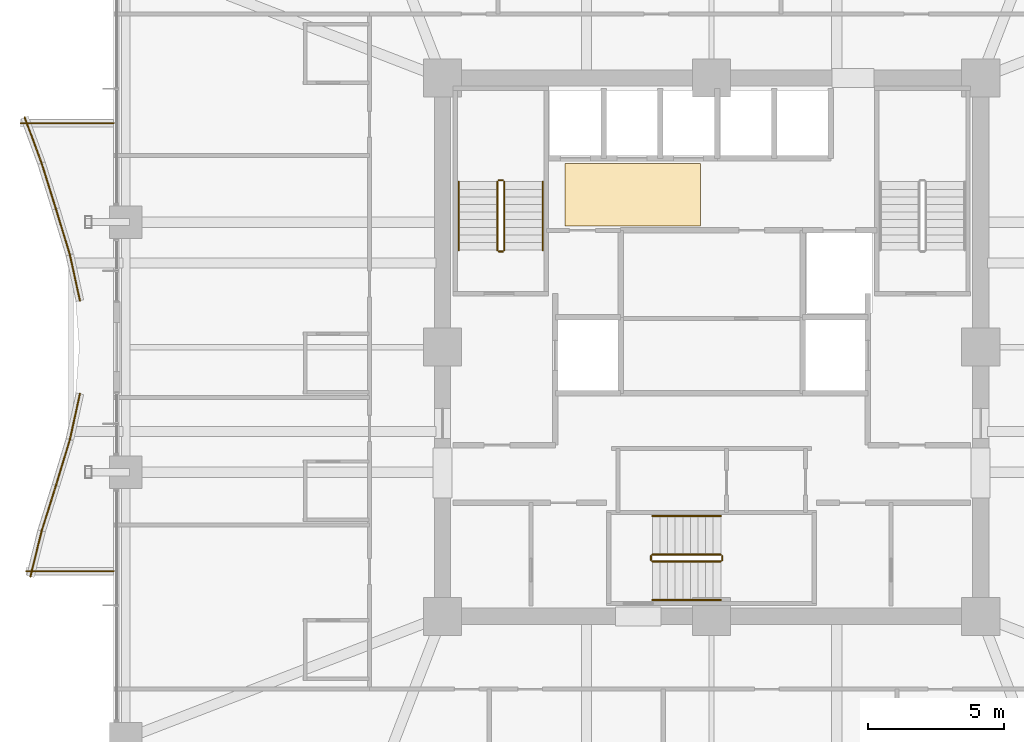
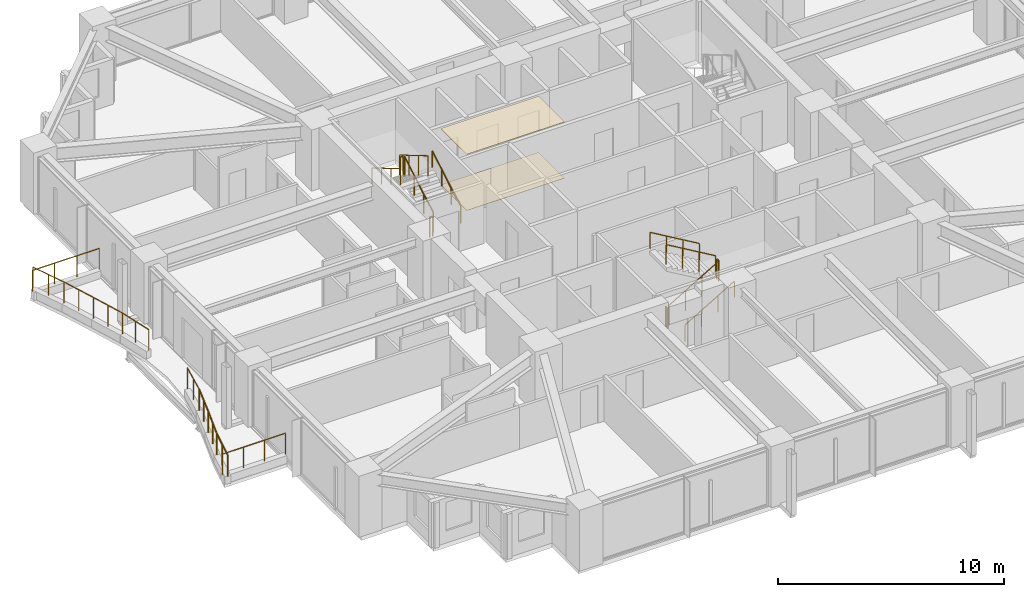
# One storey, part 35 of 36: 22 railings, 2 coverings.
"""IFC4 building model written with IfcOpenShell, lengths in metres."""

from ifc_helpers import new_model, si_unit, direction, frame, origin, origin_2d, place, context, subcontext, project, spatial, polyline, circle, outline, extrude, material, layer, layer_set, type_object, element, save


model = new_model("IFC4")

# Units and contexts
model_context = context("Model", 3, precision=1e-05, world=origin(), true_north=direction((0.0, 1.0)))
body_context = subcontext(model_context, "Body", "Model", "MODEL_VIEW")
ifc_project = project(units=[si_unit("LENGTHUNIT", "METRE"), si_unit("AREAUNIT", "SQUARE_METRE"), si_unit("VOLUMEUNIT", "CUBIC_METRE"), si_unit("PLANEANGLEUNIT", "RADIAN"), si_unit("MASSUNIT", "GRAM", prefix="KILO")], contexts=[model_context])

# Site, building, storey
site_placement = place(None, origin())
site = spatial("IfcSite", under=ifc_project, at=site_placement, CompositionType="ELEMENT")
building_placement = place(site_placement, origin())
building = spatial("IfcBuilding", under=site, at=building_placement, Name="Kolvaren Belvedere", CompositionType="ELEMENT")
storey_placement = place(building_placement, frame((0.0, 0.0, 46.89990234375)))
storey = spatial("IfcBuildingStorey", under=building, at=storey_placement, Name="L13", CompositionType="ELEMENT", Elevation=46.89990234375)

# Coverings
ifc_material_1 = material(Name="Acoustic perforated gypsum board", Category="gypsum")
ifc_layer_1 = layer(ifc_material_1, 0.02490234375)
ifc_layer_set_1 = layer_set([ifc_layer_1], Name="Acoustic perforated gypsum board")
covering_type_1 = type_object("IfcCoveringType", Name="COV-CEIL-GYP", PredefinedType="CEILING", material=ifc_layer_set_1)
covering_1_placement = place(storey_placement, frame((0.0, 0.0, 3.03515625)))
element("IfcCovering", 1, at=covering_1_placement, inside=storey, type_object=covering_type_1, Name="L13 Lift Lobby Acoustic Baffle Ceiling", PredefinedType="CEILING", context=body_context, shape_type="SweptSolid", body=[
    extrude(outline(polyline([(-5.39990234375, 4.449951171875), (-0.39990234375, 4.449951171875), (-0.39990234375, 6.75), (-5.39990234375, 6.75), (-5.39990234375, 4.449951171875)])), origin(), (0.0, 0.0, 1.0), 0.02490234375),
])
ifc_material_2 = material(Name="Engineered Pacific white oak", Category="timber")
ifc_layer_2 = layer(ifc_material_2, 0.02001953125)
ifc_layer_set_2 = layer_set([ifc_layer_2], Name="Engineered Pacific white oak")
covering_type_2 = type_object("IfcCoveringType", Name="COV-FLR-OAK", PredefinedType="FLOORING", material=ifc_layer_set_2)
covering_2_placement = place(storey_placement, origin())
element("IfcCovering", 2, at=covering_2_placement, inside=storey, type_object=covering_type_2, Name="L13 Lift Lobby Finish Flooring", PredefinedType="FLOORING", context=body_context, shape_type="SweptSolid", body=[
    extrude(outline(polyline([(-5.39990234375, 4.449951171875), (-0.39990234375, 4.449951171875), (-0.39990234375, 6.75), (-5.39990234375, 6.75), (-5.39990234375, 4.449951171875)])), origin(), (0.0, 0.0, 1.0), 0.02001953125),
])

# Railings
ifc_material_3 = material(Name="Anodised pale-metal aluminium & laminated glass guard", Category="aluminium")
railing_type_1 = type_object("IfcRailingType", Name="RL-GUARD-1150", PredefinedType="GUARDRAIL", material=ifc_material_3)
railing_1_placement = place(storey_placement, frame((-25.27001953125, 8.455322265625, 0.360107421875)))
element("IfcRailing", 3, at=railing_1_placement, inside=storey, type_object=railing_type_1, Name="L13 Exterior Deck Safety Guard BAL-W-1", PredefinedType="GUARDRAIL", context=body_context, shape_type="SweptSolid", body=[
    extrude(circle(Radius=0.02392578125, at=origin_2d()), frame((0.0, 0.0, 1.1259765625), z_axis=(0.346412843043, -0.93808216174, 0.0), x_axis=(0.93808216174, 0.346412843043, 0.0)), (0.0, 0.0, 1.0), 1.790771484375),
    extrude(circle(Radius=0.02099609375, at=origin_2d()), origin(), (0.0, 0.0, 1.0), 1.101806640625),
    extrude(circle(Radius=0.02099609375, at=origin_2d()), frame((0.31005859375, -0.83984375, 0.0)), (0.0, 0.0, 1.0), 1.101806640625),
    extrude(circle(Radius=0.02099609375, at=origin_2d()), frame((0.620361328125, -1.679931640625, 0.0)), (0.0, 0.0, 1.0), 1.101806640625),
])
railing_2_placement = place(storey_placement, frame((-24.647216796875, 6.767822265625, 0.360107421875)))
element("IfcRailing", 4, at=railing_2_placement, inside=storey, type_object=railing_type_1, Name="L13 Exterior Deck Safety Guard BAL-W-2", PredefinedType="GUARDRAIL", context=body_context, shape_type="SweptSolid", body=[
    extrude(circle(Radius=0.02392578125, at=origin_2d()), frame((0.0, 0.0, 1.1259765625), z_axis=(0.299624691176, -0.954057149461, 0.0), x_axis=(0.954057149461, 0.299624691176, 0.0)), (0.0, 0.0, 1.0), 1.7607421875),
    extrude(circle(Radius=0.02099609375, at=origin_2d()), origin(), (0.0, 0.0, 1.0), 1.101806640625),
    extrude(circle(Radius=0.02099609375, at=origin_2d()), frame((0.263671875, -0.83984375, 0.0)), (0.0, 0.0, 1.0), 1.101806640625),
    extrude(circle(Radius=0.02099609375, at=origin_2d()), frame((0.527587890625, -1.679931640625, 0.0)), (0.0, 0.0, 1.0), 1.101806640625),
])
railing_3_placement = place(storey_placement, frame((-24.119140625, 5.086669921875, 0.360107421875)))
element("IfcRailing", 5, at=railing_3_placement, inside=storey, type_object=railing_type_1, Name="L13 Exterior Deck Safety Guard BAL-W-3", PredefinedType="GUARDRAIL", context=body_context, shape_type="SweptSolid", body=[
    extrude(circle(Radius=0.02392578125, at=origin_2d()), frame((0.0, 0.0, 1.1259765625), z_axis=(0.290967992577, -0.956732787823, 0.0), x_axis=(0.956732787823, 0.290967992577, 0.0)), (0.0, 0.0, 1.0), 1.756103515625),
    extrude(circle(Radius=0.02099609375, at=origin_2d()), origin(), (0.0, 0.0, 1.0), 1.101806640625),
    extrude(circle(Radius=0.02099609375, at=origin_2d()), frame((0.25537109375, -0.840087890625, 0.0)), (0.0, 0.0, 1.0), 1.101806640625),
    extrude(circle(Radius=0.02099609375, at=origin_2d()), frame((0.510986328125, -1.68017578125, 0.0)), (0.0, 0.0, 1.0), 1.101806640625),
])
railing_4_placement = place(storey_placement, frame((-23.60498046875, 3.394287109375, 0.360107421875)))
element("IfcRailing", 6, at=railing_4_placement, inside=storey, type_object=railing_type_1, Name="L13 Exterior Deck Safety Guard BAL-W-4", PredefinedType="GUARDRAIL", context=body_context, shape_type="SweptSolid", body=[
    extrude(circle(Radius=0.02392578125, at=origin_2d()), frame((0.0, 0.0, 1.1259765625), z_axis=(0.213773077423, -0.976883345835, 0.0), x_axis=(0.976883345835, 0.213773077423, 0.0)), (0.0, 0.0, 1.0), 1.719970703125),
    extrude(circle(Radius=0.02099609375, at=origin_2d()), origin(), (0.0, 0.0, 1.0), 1.101806640625),
    extrude(circle(Radius=0.02099609375, at=origin_2d()), frame((0.183837890625, -0.840087890625, 0.0)), (0.0, 0.0, 1.0), 1.101806640625),
    extrude(circle(Radius=0.02099609375, at=origin_2d()), frame((0.36767578125, -1.68017578125, 0.0)), (0.0, 0.0, 1.0), 1.101806640625),
])
railing_5_placement = place(storey_placement, frame((-23.2373046875, -1.714111328125, 0.360107421875)))
element("IfcRailing", 7, at=railing_5_placement, inside=storey, type_object=railing_type_1, Name="L13 Exterior Deck Safety Guard BAL-W-7", PredefinedType="GUARDRAIL", context=body_context, shape_type="SweptSolid", body=[
    extrude(circle(Radius=0.02392578125, at=origin_2d()), frame((0.0, 0.0, 1.1259765625), z_axis=(-0.213773077423, -0.976883345835, 0.0), x_axis=(0.976883345835, -0.213773077423, 0.0)), (0.0, 0.0, 1.0), 1.719970703125),
    extrude(circle(Radius=0.02099609375, at=origin_2d()), origin(), (0.0, 0.0, 1.0), 1.101806640625),
    extrude(circle(Radius=0.02099609375, at=origin_2d()), frame((-0.183837890625, -0.840087890625, 0.0)), (0.0, 0.0, 1.0), 1.101806640625),
    extrude(circle(Radius=0.02099609375, at=origin_2d()), frame((-0.36767578125, -1.68017578125, 0.0)), (0.0, 0.0, 1.0), 1.101806640625),
])
railing_6_placement = place(storey_placement, frame((-23.608154296875, -3.406494140625, 0.360107421875)))
element("IfcRailing", 8, at=railing_6_placement, inside=storey, type_object=railing_type_1, Name="L13 Exterior Deck Safety Guard BAL-W-8", PredefinedType="GUARDRAIL", context=body_context, shape_type="SweptSolid", body=[
    extrude(circle(Radius=0.02392578125, at=origin_2d()), frame((0.0, 0.0, 1.1259765625), z_axis=(-0.290967992577, -0.956732787823, 0.0), x_axis=(0.956732787823, -0.290967992577, 0.0)), (0.0, 0.0, 1.0), 1.756103515625),
    extrude(circle(Radius=0.02099609375, at=origin_2d()), origin(), (0.0, 0.0, 1.0), 1.101806640625),
    extrude(circle(Radius=0.02099609375, at=origin_2d()), frame((-0.25537109375, -0.840087890625, 0.0)), (0.0, 0.0, 1.0), 1.101806640625),
    extrude(circle(Radius=0.02099609375, at=origin_2d()), frame((-0.510986328125, -1.68017578125, 0.0)), (0.0, 0.0, 1.0), 1.101806640625),
])
railing_7_placement = place(storey_placement, frame((-24.11962890625, -5.087890625, 0.360107421875)))
element("IfcRailing", 9, at=railing_7_placement, inside=storey, type_object=railing_type_1, Name="L13 Exterior Deck Safety Guard BAL-W-9", PredefinedType="GUARDRAIL", context=body_context, shape_type="SweptSolid", body=[
    extrude(circle(Radius=0.02392578125, at=origin_2d()), frame((0.0, 0.0, 1.1259765625), z_axis=(-0.299624691176, -0.954057149461, 0.0), x_axis=(0.954057149461, -0.299624691176, 0.0)), (0.0, 0.0, 1.0), 1.7607421875),
    extrude(circle(Radius=0.02099609375, at=origin_2d()), origin(), (0.0, 0.0, 1.0), 1.101806640625),
    extrude(circle(Radius=0.02099609375, at=origin_2d()), frame((-0.263671875, -0.83984375, 0.0)), (0.0, 0.0, 1.0), 1.101806640625),
    extrude(circle(Radius=0.02099609375, at=origin_2d()), frame((-0.527587890625, -1.679931640625, 0.0)), (0.0, 0.0, 1.0), 1.101806640625),
])
railing_8_placement = place(storey_placement, frame((-24.644287109375, -6.75830078125, 0.360107421875)))
element("IfcRailing", 10, at=railing_8_placement, inside=storey, type_object=railing_type_1, Name="L13 Exterior Deck Safety Guard BAL-W-10", PredefinedType="GUARDRAIL", context=body_context, shape_type="SweptSolid", body=[
    extrude(circle(Radius=0.02392578125, at=origin_2d()), frame((0.0, 0.0, 1.1259765625), z_axis=(-0.23931377861, -0.970942282202, 0.0), x_axis=(0.970942282202, -0.23931377861, 0.0)), (0.0, 0.0, 1.0), 1.730224609375),
    extrude(circle(Radius=0.02099609375, at=origin_2d()), origin(), (0.0, 0.0, 1.0), 1.101806640625),
    extrude(circle(Radius=0.02099609375, at=origin_2d()), frame((-0.20703125, -0.83984375, 0.0)), (0.0, 0.0, 1.0), 1.101806640625),
    extrude(circle(Radius=0.02099609375, at=origin_2d()), frame((-0.4140625, -1.679931640625, 0.0)), (0.0, 0.0, 1.0), 1.101806640625),
])
railing_9_placement = place(storey_placement, frame((-25.213623046875, -8.239990234375, 0.360107421875)))
element("IfcRailing", 11, at=railing_9_placement, inside=storey, type_object=railing_type_1, Name="L13 Exterior Deck Safety Guard BAL-W-11", PredefinedType="GUARDRAIL", context=body_context, shape_type="SweptSolid", body=[
    extrude(circle(Radius=0.02392578125, at=origin_2d()), frame((0.0, 0.0, 1.1259765625), z_axis=(1.0, 0.0, 0.0), x_axis=(0.0, 1.0, 0.0)), (0.0, 0.0, 1.0), 3.213623046875),
    extrude(circle(Radius=0.02099609375, at=origin_2d()), origin(), (0.0, 0.0, 1.0), 1.101806640625),
    extrude(circle(Radius=0.02099609375, at=origin_2d()), frame((1.0712890625, 0.0, 0.0)), (0.0, 0.0, 1.0), 1.101806640625),
    extrude(circle(Radius=0.02099609375, at=origin_2d()), frame((2.142333984375, 0.0, 0.0)), (0.0, 0.0, 1.0), 1.101806640625),
    extrude(circle(Radius=0.02099609375, at=origin_2d()), frame((3.213623046875, 0.0, 0.0)), (0.0, 0.0, 1.0), 1.101806640625),
])
railing_10_placement = place(storey_placement, frame((-22.0, 8.239990234375, 0.360107421875)))
element("IfcRailing", 12, at=railing_10_placement, inside=storey, type_object=railing_type_1, Name="L13 Exterior Deck Safety Guard BAL-W-22", PredefinedType="GUARDRAIL", context=body_context, shape_type="SweptSolid", body=[
    extrude(circle(Radius=0.02392578125, at=origin_2d()), frame((0.0, 0.0, 1.1259765625), z_axis=(-1.0, 0.0, 0.0), x_axis=(0.0, -1.0, 0.0)), (0.0, 0.0, 1.0), 3.419921875),
    extrude(circle(Radius=0.02099609375, at=origin_2d()), origin(), (0.0, 0.0, 1.0), 1.101806640625),
    extrude(circle(Radius=0.02099609375, at=origin_2d()), frame((-1.139892578125, 0.0, 0.0)), (0.0, 0.0, 1.0), 1.101806640625),
    extrude(circle(Radius=0.02099609375, at=origin_2d()), frame((-2.280029296875, 0.0, 0.0)), (0.0, 0.0, 1.0), 1.101806640625),
    extrude(circle(Radius=0.02099609375, at=origin_2d()), frame((-3.419921875, 0.0, 0.0)), (0.0, 0.0, 1.0), 1.101806640625),
])
ifc_material_4 = material(Name="Brushed stainless-steel handrail", Category="steel")
railing_type_2 = type_object("IfcRailingType", Name="RL-HANDRAIL-920", PredefinedType="HANDRAIL", material=ifc_material_4)
railing_11_placement = place(storey_placement, frame((-6.2099609375, 3.570068359375, 0.1650390625)))
element("IfcRailing", 13, at=railing_11_placement, inside=storey, type_object=railing_type_2, Name="L13 ST-1 stair handrail 1", PredefinedType="HANDRAIL", context=body_context, shape_type="SweptSolid", body=[
    extrude(circle(Radius=0.02392578125, at=origin_2d()), frame((0.0, 0.0, 0.8759765625), z_axis=(0.0, 0.86152411907, 0.507716645641), x_axis=(-1.0, 0.0, 0.0)), (0.0, 0.0, 1.0), 2.925048828125),
    extrude(circle(Radius=0.02099609375, at=origin_2d()), origin(), (0.0, 0.0, 1.0), 0.851806640625),
    extrude(circle(Radius=0.02099609375, at=origin_2d()), frame((0.0, 0.840087890625, 0.4951171875)), (0.0, 0.0, 1.0), 0.851806640625),
    extrude(circle(Radius=0.02099609375, at=origin_2d()), frame((0.0, 1.679931640625, 0.989990234375)), (0.0, 0.0, 1.0), 0.851806640625),
    extrude(circle(Radius=0.02099609375, at=origin_2d()), frame((0.0, 2.52001953125, 1.485107421875)), (0.0, 0.0, 1.0), 0.851806640625),
])
railing_12_placement = place(storey_placement, frame((-9.300048828125, 6.090087890625, 1.815185546875)))
element("IfcRailing", 14, at=railing_12_placement, inside=storey, type_object=railing_type_2, Name="L13 ST-1 stair handrail 2", PredefinedType="HANDRAIL", context=body_context, shape_type="SweptSolid", body=[
    extrude(circle(Radius=0.02392578125, at=origin_2d()), frame((0.0, 0.0, 0.8759765625), z_axis=(0.0, -0.861560626758, 0.507654692109), x_axis=(1.0, 0.0, 0.0)), (0.0, 0.0, 1.0), 2.925048828125),
    extrude(circle(Radius=0.02099609375, at=origin_2d()), origin(), (0.0, 0.0, 1.0), 0.851806640625),
    extrude(circle(Radius=0.02099609375, at=origin_2d()), frame((0.0, -0.840087890625, 0.494873046875)), (0.0, 0.0, 1.0), 0.851806640625),
    extrude(circle(Radius=0.02099609375, at=origin_2d()), frame((0.0, -1.679931640625, 0.989990234375)), (0.0, 0.0, 1.0), 0.851806640625),
    extrude(circle(Radius=0.02099609375, at=origin_2d()), frame((0.0, -2.52001953125, 1.48486328125)), (0.0, 0.0, 1.0), 0.851806640625),
])
railing_13_placement = place(storey_placement, frame((-2.179931640625, -9.300048828125, 0.1650390625)))
element("IfcRailing", 15, at=railing_13_placement, inside=storey, type_object=railing_type_2, Name="L13 ST-3 stair handrail 1", PredefinedType="HANDRAIL", context=body_context, shape_type="SweptSolid", body=[
    extrude(circle(Radius=0.02392578125, at=origin_2d()), frame((0.0, 0.0, 0.8759765625), z_axis=(0.86152411907, 0.0, 0.507716645641), x_axis=(0.0, 1.0, 0.0)), (0.0, 0.0, 1.0), 2.925048828125),
    extrude(circle(Radius=0.02099609375, at=origin_2d()), origin(), (0.0, 0.0, 1.0), 0.851806640625),
    extrude(circle(Radius=0.02099609375, at=origin_2d()), frame((0.840087890625, 0.0, 0.4951171875)), (0.0, 0.0, 1.0), 0.851806640625),
    extrude(circle(Radius=0.02099609375, at=origin_2d()), frame((1.679931640625, 0.0, 0.989990234375)), (0.0, 0.0, 1.0), 0.851806640625),
    extrude(circle(Radius=0.02099609375, at=origin_2d()), frame((2.52001953125, 0.0, 1.485107421875)), (0.0, 0.0, 1.0), 0.851806640625),
])
railing_14_placement = place(storey_placement, frame((0.340087890625, -6.2099609375, 1.815185546875)))
element("IfcRailing", 16, at=railing_14_placement, inside=storey, type_object=railing_type_2, Name="L13 ST-3 stair handrail 2", PredefinedType="HANDRAIL", context=body_context, shape_type="SweptSolid", body=[
    extrude(circle(Radius=0.02392578125, at=origin_2d()), frame((0.0, 0.0, 0.8759765625), z_axis=(-0.861560626758, 0.0, 0.507654692109), x_axis=(0.0, -1.0, 0.0)), (0.0, 0.0, 1.0), 2.925048828125),
    extrude(circle(Radius=0.02099609375, at=origin_2d()), origin(), (0.0, 0.0, 1.0), 0.851806640625),
    extrude(circle(Radius=0.02099609375, at=origin_2d()), frame((-0.840087890625, 0.0, 0.494873046875)), (0.0, 0.0, 1.0), 0.851806640625),
    extrude(circle(Radius=0.02099609375, at=origin_2d()), frame((-1.679931640625, 0.0, 0.989990234375)), (0.0, 0.0, 1.0), 0.851806640625),
    extrude(circle(Radius=0.02099609375, at=origin_2d()), frame((-2.52001953125, 0.0, 1.48486328125)), (0.0, 0.0, 1.0), 0.851806640625),
])
ifc_material_5 = material(Name="Painted tubular steel stair guard", Category="steel")
railing_type_3 = type_object("IfcRailingType", Name="RL-STGUARD-1100", PredefinedType="GUARDRAIL", material=ifc_material_5)
railing_15_placement = place(storey_placement, frame((-7.6298828125, 3.570068359375, 0.1650390625)))
element("IfcRailing", 17, at=railing_15_placement, inside=storey, type_object=railing_type_3, Name="L13 ST-1 stair guard 1", PredefinedType="GUARDRAIL", context=body_context, shape_type="SweptSolid", body=[
    extrude(circle(Radius=0.02392578125, at=origin_2d()), frame((0.0, 0.0, 1.076171875), z_axis=(0.0, 0.86152411907, 0.507716645641), x_axis=(-1.0, 0.0, 0.0)), (0.0, 0.0, 1.0), 2.925048828125),
    extrude(circle(Radius=0.02099609375, at=origin_2d()), origin(), (0.0, 0.0, 1.0), 1.052001953125),
    extrude(circle(Radius=0.02099609375, at=origin_2d()), frame((0.0, 0.840087890625, 0.4951171875)), (0.0, 0.0, 1.0), 1.052001953125),
    extrude(circle(Radius=0.02099609375, at=origin_2d()), frame((0.0, 1.679931640625, 0.989990234375)), (0.0, 0.0, 1.0), 1.052001953125),
    extrude(circle(Radius=0.02099609375, at=origin_2d()), frame((0.0, 2.52001953125, 1.485107421875)), (0.0, 0.0, 1.0), 1.052001953125),
])
railing_16_placement = place(storey_placement, frame((-7.679931640625, 6.139892578125, 1.650146484375)))
element("IfcRailing", 18, at=railing_16_placement, inside=storey, type_object=railing_type_3, Name="L13 ST-1 stair guard 2", PredefinedType="GUARDRAIL", context=body_context, shape_type="SweptSolid", body=[
    extrude(circle(Radius=0.02392578125, at=origin_2d()), frame((0.0, 0.0, 1.076171875), z_axis=(-1.0, 0.0, 0.0), x_axis=(0.0, -1.0, 0.0)), (0.0, 0.0, 1.0), 0.150146484375),
    extrude(circle(Radius=0.02099609375, at=origin_2d()), origin(), (0.0, 0.0, 1.0), 1.052001953125),
    extrude(circle(Radius=0.02099609375, at=origin_2d()), frame((-0.150146484375, 0.0, 0.0)), (0.0, 0.0, 1.0), 1.052001953125),
])
railing_17_placement = place(storey_placement, frame((-7.8798828125, 6.090087890625, 1.815185546875)))
element("IfcRailing", 19, at=railing_17_placement, inside=storey, type_object=railing_type_3, Name="L13 ST-1 stair guard 3", PredefinedType="GUARDRAIL", context=body_context, shape_type="SweptSolid", body=[
    extrude(circle(Radius=0.02392578125, at=origin_2d()), frame((0.0, 0.0, 1.076171875), z_axis=(0.0, -0.861560626758, 0.507654692109), x_axis=(1.0, 0.0, 0.0)), (0.0, 0.0, 1.0), 2.925048828125),
    extrude(circle(Radius=0.02099609375, at=origin_2d()), origin(), (0.0, 0.0, 1.0), 1.052001953125),
    extrude(circle(Radius=0.02099609375, at=origin_2d()), frame((0.0, -0.840087890625, 0.494873046875)), (0.0, 0.0, 1.0), 1.052001953125),
    extrude(circle(Radius=0.02099609375, at=origin_2d()), frame((0.0, -1.679931640625, 0.989990234375)), (0.0, 0.0, 1.0), 1.052001953125),
    extrude(circle(Radius=0.02099609375, at=origin_2d()), frame((0.0, -2.52001953125, 1.48486328125)), (0.0, 0.0, 1.0), 1.052001953125),
])
railing_18_placement = place(storey_placement, frame((-7.679931640625, 3.52001953125, 0.0)))
element("IfcRailing", 20, at=railing_18_placement, inside=storey, type_object=railing_type_3, Name="L13 ST-1 stair guard 4", PredefinedType="GUARDRAIL", context=body_context, shape_type="SweptSolid", body=[
    extrude(circle(Radius=0.02392578125, at=origin_2d()), frame((0.0, 0.0, 1.076171875), z_axis=(-1.0, 0.0, 0.0), x_axis=(0.0, -1.0, 0.0)), (0.0, 0.0, 1.0), 0.150146484375),
    extrude(circle(Radius=0.02099609375, at=origin_2d()), origin(), (0.0, 0.0, 1.0), 1.052001953125),
    extrude(circle(Radius=0.02099609375, at=origin_2d()), frame((-0.150146484375, 0.0, 0.0)), (0.0, 0.0, 1.0), 1.052001953125),
])
railing_19_placement = place(storey_placement, frame((-2.179931640625, -7.8798828125, 0.1650390625)))
element("IfcRailing", 21, at=railing_19_placement, inside=storey, type_object=railing_type_3, Name="L13 ST-3 stair guard 1", PredefinedType="GUARDRAIL", context=body_context, shape_type="SweptSolid", body=[
    extrude(circle(Radius=0.02392578125, at=origin_2d()), frame((0.0, 0.0, 1.076171875), z_axis=(0.86152411907, 0.0, 0.507716645641), x_axis=(0.0, 1.0, 0.0)), (0.0, 0.0, 1.0), 2.925048828125),
    extrude(circle(Radius=0.02099609375, at=origin_2d()), origin(), (0.0, 0.0, 1.0), 1.052001953125),
    extrude(circle(Radius=0.02099609375, at=origin_2d()), frame((0.840087890625, 0.0, 0.4951171875)), (0.0, 0.0, 1.0), 1.052001953125),
    extrude(circle(Radius=0.02099609375, at=origin_2d()), frame((1.679931640625, 0.0, 0.989990234375)), (0.0, 0.0, 1.0), 1.052001953125),
    extrude(circle(Radius=0.02099609375, at=origin_2d()), frame((2.52001953125, 0.0, 1.485107421875)), (0.0, 0.0, 1.0), 1.052001953125),
])
railing_20_placement = place(storey_placement, frame((0.389892578125, -7.830078125, 1.650146484375)))
element("IfcRailing", 22, at=railing_20_placement, inside=storey, type_object=railing_type_3, Name="L13 ST-3 stair guard 2", PredefinedType="GUARDRAIL", context=body_context, shape_type="SweptSolid", body=[
    extrude(circle(Radius=0.02392578125, at=origin_2d()), frame((0.0, 0.0, 1.076171875), z_axis=(0.0, 1.0, 0.0), x_axis=(-1.0, 0.0, 0.0)), (0.0, 0.0, 1.0), 0.150146484375),
    extrude(circle(Radius=0.02099609375, at=origin_2d()), origin(), (0.0, 0.0, 1.0), 1.052001953125),
    extrude(circle(Radius=0.02099609375, at=origin_2d()), frame((0.0, 0.150146484375, 0.0)), (0.0, 0.0, 1.0), 1.052001953125),
])
railing_21_placement = place(storey_placement, frame((0.340087890625, -7.6298828125, 1.815185546875)))
element("IfcRailing", 23, at=railing_21_placement, inside=storey, type_object=railing_type_3, Name="L13 ST-3 stair guard 3", PredefinedType="GUARDRAIL", context=body_context, shape_type="SweptSolid", body=[
    extrude(circle(Radius=0.02392578125, at=origin_2d()), frame((0.0, 0.0, 1.076171875), z_axis=(-0.861560626758, 0.0, 0.507654692109), x_axis=(0.0, -1.0, 0.0)), (0.0, 0.0, 1.0), 2.925048828125),
    extrude(circle(Radius=0.02099609375, at=origin_2d()), origin(), (0.0, 0.0, 1.0), 1.052001953125),
    extrude(circle(Radius=0.02099609375, at=origin_2d()), frame((-0.840087890625, 0.0, 0.494873046875)), (0.0, 0.0, 1.0), 1.052001953125),
    extrude(circle(Radius=0.02099609375, at=origin_2d()), frame((-1.679931640625, 0.0, 0.989990234375)), (0.0, 0.0, 1.0), 1.052001953125),
    extrude(circle(Radius=0.02099609375, at=origin_2d()), frame((-2.52001953125, 0.0, 1.48486328125)), (0.0, 0.0, 1.0), 1.052001953125),
])
railing_22_placement = place(storey_placement, frame((-2.22998046875, -7.830078125, 0.0)))
element("IfcRailing", 24, at=railing_22_placement, inside=storey, type_object=railing_type_3, Name="L13 ST-3 stair guard 4", PredefinedType="GUARDRAIL", context=body_context, shape_type="SweptSolid", body=[
    extrude(circle(Radius=0.02392578125, at=origin_2d()), frame((0.0, 0.0, 1.076171875), z_axis=(0.0, 1.0, 0.0), x_axis=(-1.0, 0.0, 0.0)), (0.0, 0.0, 1.0), 0.150146484375),
    extrude(circle(Radius=0.02099609375, at=origin_2d()), origin(), (0.0, 0.0, 1.0), 1.052001953125),
    extrude(circle(Radius=0.02099609375, at=origin_2d()), frame((0.0, 0.150146484375, 0.0)), (0.0, 0.0, 1.0), 1.052001953125),
])

save(model, "model.ifc")
